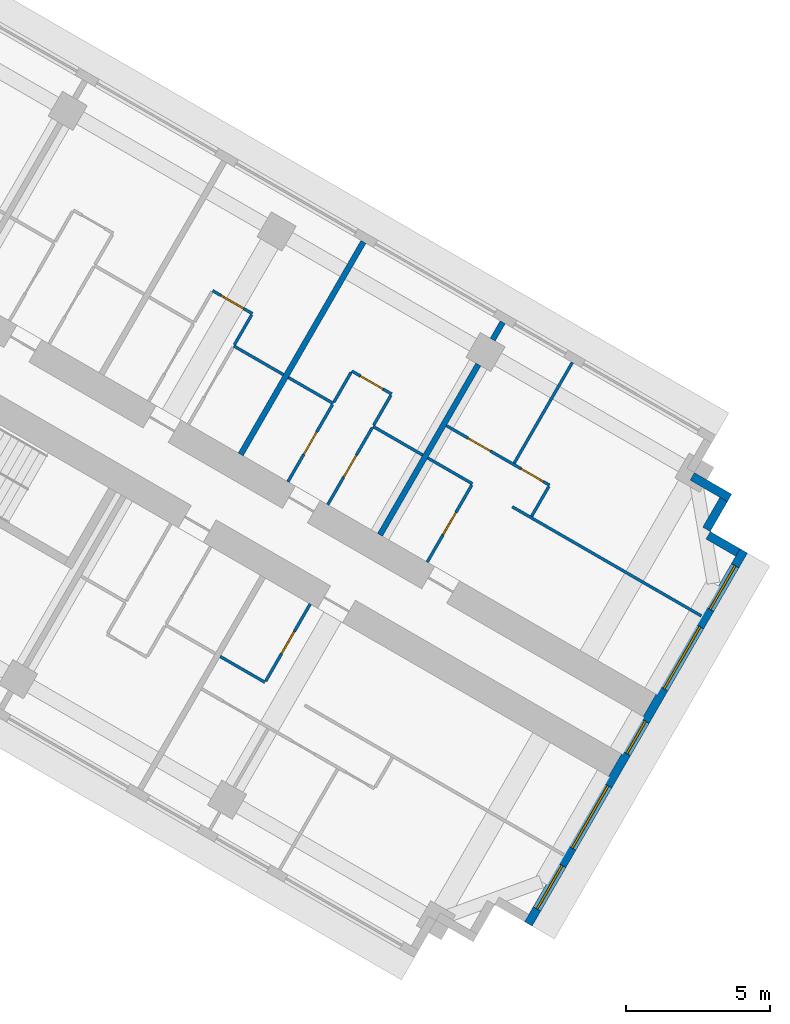
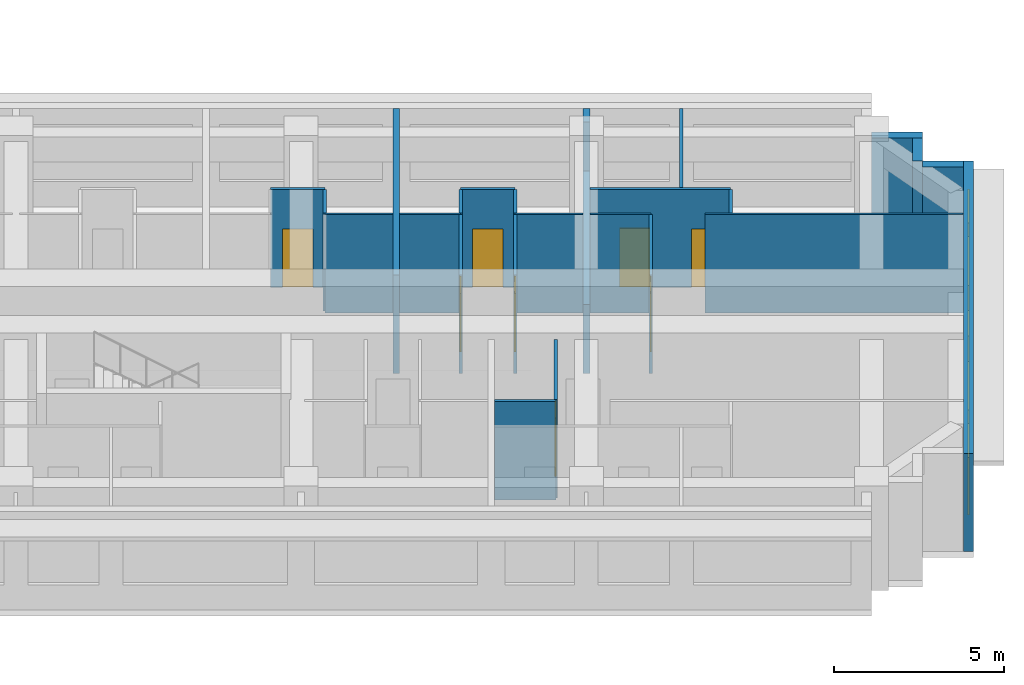
# One storey, part 11 of 14: 25 walls, 8 doors, 5 windows, 13 openings.
"""IFC4 building model written with IfcOpenShell, lengths in metres."""

from ifc_helpers import new_model, si_unit, direction, frame, frame_2d, origin, place, context, subcontext, project, spatial, rectangle, extrude, material, layer, layer_set, type_object, element, fill, save


model = new_model("IFC4")

# Units and contexts
model_context = context("Model", 3, precision=1e-05, world=origin(), true_north=direction((0.0, 1.0)))
body_context = subcontext(model_context, "Body", "Model", "MODEL_VIEW")
ifc_project = project(units=[si_unit("LENGTHUNIT", "METRE"), si_unit("AREAUNIT", "SQUARE_METRE"), si_unit("VOLUMEUNIT", "CUBIC_METRE"), si_unit("PLANEANGLEUNIT", "RADIAN"), si_unit("MASSUNIT", "GRAM", prefix="KILO")], contexts=[model_context])

# Site, building, storey
site_placement = place(None, origin())
site = spatial("IfcSite", under=ifc_project, at=site_placement, CompositionType="ELEMENT")
building_placement = place(site_placement, origin())
building = spatial("IfcBuilding", under=site, at=building_placement, Name="Impinga Residences", CompositionType="ELEMENT")
storey_placement = place(building_placement, frame((0.0, 0.0, 143.5)))
storey = spatial("IfcBuildingStorey", under=building, at=storey_placement, Name="L35", CompositionType="ELEMENT", Elevation=143.5)

# Walls
ifc_material_1 = material(Name="Terracotta rainscreen on blockwork", Category="masonry")
ifc_layer_1 = layer(ifc_material_1, 0.300048828125)
ifc_layer_set_1 = layer_set([ifc_layer_1], Name="EW1 external wall, terracotta rainscreen on blockwork 300")
wall_type_1 = type_object("IfcWallType", Name="EW1 external wall, terracotta rainscreen on blockwork 300", PredefinedType="SOLIDWALL", material=ifc_layer_set_1)
wall_1_placement = place(storey_placement, frame((43.42333984375, -14.8515625, 0.0), z_axis=(0.0, 0.0, 1.0), x_axis=(0.866031096941, -0.499990139034, 0.0)))
element("IfcWall", 1, at=wall_1_placement, inside=storey, type_object=wall_type_1, Name="External wall EW1 L35", PredefinedType="SOLIDWALL", context=body_context, shape_type="SweptSolid", body=[
    extrude(rectangle(XDim=1.5, YDim=0.300048828125, at=frame_2d((0.75, 0.0))), origin(), (0.0, 0.0, 1.0), 3.530029296875),
])
wall_2_placement = place(storey_placement, frame((44.517578125, -15.65625, 0.0), z_axis=(0.0, 0.0, 1.0), x_axis=(-0.500033551112, -0.866006032174, 0.0)))
element("IfcWall", 2, at=wall_2_placement, inside=storey, type_object=wall_type_1, Name="External wall EW1 L35", PredefinedType="SOLIDWALL", context=body_context, shape_type="SweptSolid", body=[
    extrude(rectangle(XDim=1.2001953125, YDim=0.300048828125, at=frame_2d((0.60009765625, 0.0))), origin(), (0.0, 0.0, 1.0), 3.530029296875),
])
wall_3_placement = place(storey_placement, frame((43.976806640625, -16.903076171875, 0.0), z_axis=(0.0, 0.0, 1.0), x_axis=(0.866059708757, -0.499940577336, 0.0)))
element("IfcWall", 3, at=wall_3_placement, inside=storey, type_object=wall_type_1, Name="External wall EW1 L35", PredefinedType="SOLIDWALL", context=body_context, shape_type="SweptSolid", body=[
    extrude(rectangle(XDim=1.195068359375, YDim=0.300048828125, at=frame_2d((0.59765625, 0.0))), origin(), (0.0, 0.0, 1.0), 3.530029296875),
])

# Wall, openings, windows
wall_4_placement = place(storey_placement, frame((45.216552734375, -17.445556640625, 0.0), z_axis=(0.0, 0.0, 1.0), x_axis=(-0.499997186618, -0.866027028085, 0.0)))
wall_4 = element("IfcWall", 4, at=wall_4_placement, inside=storey, type_object=wall_type_1, Name="External wall EW1 L35", PredefinedType="SOLIDWALL", context=body_context, shape_type="SweptSolid", body=[
    extrude(rectangle(XDim=15.0, YDim=0.300048828125, at=frame_2d((7.5, 0.0))), origin(), (0.0, 0.0, 1.0), 3.530029296875),
])
opening_1_placement = place(wall_4_placement, frame((0.60009765625, 0.0, 0.89990234375)))
opening_1 = element("IfcOpeningElement", 5, at=opening_1_placement, cuts=wall_4, Name="Opening W1", PredefinedType="OPENING", context=body_context, shape_type="SweptSolid", body=[
    extrude(rectangle(XDim=1.75, YDim=2.050048828125, at=frame_2d((0.875, 1.02490234375))), frame((0.0, 0.159912109375, 0.0), z_axis=(0.0, -1.0, 0.0), x_axis=(1.0, 0.0, 0.0)), (0.0, 0.0, 1.0), 0.320068359375),
])
opening_2_placement = place(wall_4_placement, frame((3.050048828125, 0.0, 0.89990234375)))
opening_2 = element("IfcOpeningElement", 6, at=opening_2_placement, cuts=wall_4, Name="Opening W2", PredefinedType="OPENING", context=body_context, shape_type="SweptSolid", body=[
    extrude(rectangle(XDim=2.5, YDim=2.050048828125, at=frame_2d((1.25, 1.02490234375))), frame((0.0, 0.159912109375, 0.0), z_axis=(0.0, -1.0, 0.0), x_axis=(1.0, 0.0, 0.0)), (0.0, 0.0, 1.0), 0.320068359375),
])
opening_3_placement = place(wall_4_placement, frame((6.85009765625, 0.0, 0.89990234375)))
opening_3 = element("IfcOpeningElement", 7, at=opening_3_placement, cuts=wall_4, Name="Opening WE1", PredefinedType="OPENING", context=body_context, shape_type="SweptSolid", body=[
    extrude(rectangle(XDim=1.300048828125, YDim=2.050048828125, at=frame_2d((0.64990234375, 1.02490234375))), frame((0.0, 0.159912109375, 0.0), z_axis=(0.0, -1.0, 0.0), x_axis=(1.0, 0.0, 0.0)), (0.0, 0.0, 1.0), 0.320068359375),
])
opening_4_placement = place(wall_4_placement, frame((9.449951171875, 0.0, 0.89990234375)))
opening_4 = element("IfcOpeningElement", 8, at=opening_4_placement, cuts=wall_4, Name="Opening W2", PredefinedType="OPENING", context=body_context, shape_type="SweptSolid", body=[
    extrude(rectangle(XDim=2.5, YDim=2.050048828125, at=frame_2d((1.25, 1.02490234375))), frame((0.0, 0.159912109375, 0.0), z_axis=(0.0, -1.0, 0.0), x_axis=(1.0, 0.0, 0.0)), (0.0, 0.0, 1.0), 0.320068359375),
])
opening_5_placement = place(wall_4_placement, frame((12.64990234375, 0.0, 0.89990234375)))
opening_5 = element("IfcOpeningElement", 9, at=opening_5_placement, cuts=wall_4, Name="Opening W1", PredefinedType="OPENING", context=body_context, shape_type="SweptSolid", body=[
    extrude(rectangle(XDim=1.75, YDim=2.050048828125, at=frame_2d((0.875, 1.02490234375))), frame((0.0, 0.159912109375, 0.0), z_axis=(0.0, -1.0, 0.0), x_axis=(1.0, 0.0, 0.0)), (0.0, 0.0, 1.0), 0.320068359375),
])
ifc_material_2 = material(Name="Aluminium window, clear double glazing", Category="aluminium")
window_type_1 = type_object("IfcWindowType", Name="W1 ribbon window 1750x2050", PartitioningType="SINGLE_PANEL", PredefinedType="WINDOW", material=ifc_material_2)
window_1_placement = place(opening_1_placement, origin())
window_1 = element("IfcWindow", 10, at=window_1_placement, inside=storey, type_object=window_type_1, Name="Window L35", OverallHeight=2.050048828125, OverallWidth=1.75, PartitioningType="SINGLE_PANEL", PredefinedType="WINDOW", context=body_context, shape_type="SweptSolid", body=[
    extrude(rectangle(XDim=1.75, YDim=2.050048828125, at=frame_2d((0.875, 1.02490234375))), frame((0.0, 0.030029296875, 0.0), z_axis=(0.0, -1.0, 0.0), x_axis=(1.0, 0.0, 0.0)), (0.0, 0.0, 1.0), 0.06005859375),
])
fill(opening_1, window_1)
window_2_placement = place(opening_5_placement, origin())
window_2 = element("IfcWindow", 11, at=window_2_placement, inside=storey, type_object=window_type_1, Name="Window L35", OverallHeight=2.050048828125, OverallWidth=1.75, PartitioningType="SINGLE_PANEL", PredefinedType="WINDOW", context=body_context, shape_type="SweptSolid", body=[
    extrude(rectangle(XDim=1.75, YDim=2.050048828125, at=frame_2d((0.875, 1.02490234375))), frame((0.0, 0.030029296875, 0.0), z_axis=(0.0, -1.0, 0.0), x_axis=(1.0, 0.0, 0.0)), (0.0, 0.0, 1.0), 0.06005859375),
])
fill(opening_5, window_2)
window_type_2 = type_object("IfcWindowType", Name="W2 ribbon window 2500x2050", PartitioningType="SINGLE_PANEL", PredefinedType="WINDOW", material=ifc_material_2)
window_3_placement = place(opening_2_placement, origin())
window_3 = element("IfcWindow", 12, at=window_3_placement, inside=storey, type_object=window_type_2, Name="Window L35", OverallHeight=2.050048828125, OverallWidth=2.5, PartitioningType="SINGLE_PANEL", PredefinedType="WINDOW", context=body_context, shape_type="SweptSolid", body=[
    extrude(rectangle(XDim=2.5, YDim=2.050048828125, at=frame_2d((1.25, 1.02490234375))), frame((0.0, 0.030029296875, 0.0), z_axis=(0.0, -1.0, 0.0), x_axis=(1.0, 0.0, 0.0)), (0.0, 0.0, 1.0), 0.06005859375),
])
fill(opening_2, window_3)
window_4_placement = place(opening_4_placement, origin())
window_4 = element("IfcWindow", 13, at=window_4_placement, inside=storey, type_object=window_type_2, Name="Window L35", OverallHeight=2.050048828125, OverallWidth=2.5, PartitioningType="SINGLE_PANEL", PredefinedType="WINDOW", context=body_context, shape_type="SweptSolid", body=[
    extrude(rectangle(XDim=2.5, YDim=2.050048828125, at=frame_2d((1.25, 1.02490234375))), frame((0.0, 0.030029296875, 0.0), z_axis=(0.0, -1.0, 0.0), x_axis=(1.0, 0.0, 0.0)), (0.0, 0.0, 1.0), 0.06005859375),
])
fill(opening_4, window_4)
window_type_3 = type_object("IfcWindowType", Name="WE1 corridor window 1300x2050", PartitioningType="SINGLE_PANEL", PredefinedType="WINDOW", material=ifc_material_2)
window_5_placement = place(opening_3_placement, origin())
window_5 = element("IfcWindow", 14, at=window_5_placement, inside=storey, type_object=window_type_3, Name="Window L35", OverallHeight=2.050048828125, OverallWidth=1.300048828125, PartitioningType="SINGLE_PANEL", PredefinedType="WINDOW", context=body_context, shape_type="SweptSolid", body=[
    extrude(rectangle(XDim=1.300048828125, YDim=2.050048828125, at=frame_2d((0.64990234375, 1.02490234375))), frame((0.0, 0.030029296875, 0.0), z_axis=(0.0, -1.0, 0.0), x_axis=(1.0, 0.0, 0.0)), (0.0, 0.0, 1.0), 0.06005859375),
])
fill(opening_3, window_5)

# Wall
ifc_material_3 = material(Name="Gypsum board on steel studs", Category="steel")
ifc_layer_2 = layer(ifc_material_3, 0.10009765625)
ifc_layer_set_2 = layer_set([ifc_layer_2], Name="Gypsum board on steel studs")
wall_type_2 = type_object("IfcWallType", Name="IP1 partition 100", PredefinedType="PARTITIONING", material=ifc_layer_set_2)
wall_5_placement = place(storey_placement, frame((27.45556640625, -10.308837890625, 0.0), z_axis=(0.0, 0.0, 1.0), x_axis=(0.866010750942, -0.50002537861, 0.0)))
element("IfcWall", 15, at=wall_5_placement, inside=storey, type_object=wall_type_2, Name="Partition L35-EA3:DIV1", PredefinedType="PARTITIONING", context=body_context, shape_type="SweptSolid", body=[
    extrude(rectangle(XDim=2.0, YDim=0.10009765625, at=frame_2d((1.0, 0.0))), origin(), (0.0, 0.0, 1.0), 3.530029296875),
])

# Wall, opening, door
wall_6_placement = place(storey_placement, frame((26.7197265625, -8.383056640625, 0.0), z_axis=(0.0, 0.0, 1.0), x_axis=(0.866028054938, -0.499995408039, 0.0)))
wall_6 = element("IfcWall", 16, at=wall_6_placement, inside=storey, type_object=wall_type_2, Name="Partition L35-EA3:STRIP", PredefinedType="PARTITIONING", context=body_context, shape_type="SweptSolid", body=[
    extrude(rectangle(XDim=1.60009765625, YDim=0.10009765625, at=frame_2d((0.800048828125, 0.0))), origin(), (0.0, 0.0, 1.0), 3.530029296875),
])
opening_6_placement = place(wall_6_placement, frame((0.35009765625, 0.0, 0.0)))
opening_6 = element("IfcOpeningElement", 17, at=opening_6_placement, cuts=wall_6, Name="Opening D2", PredefinedType="OPENING", context=body_context, shape_type="SweptSolid", body=[
    extrude(rectangle(XDim=0.89990234375, YDim=2.10009765625, at=frame_2d((0.449951171875, 1.050048828125))), frame((0.0, 0.06005859375, 0.0), z_axis=(0.0, -1.0, 0.0), x_axis=(1.0, 0.0, 0.0)), (0.0, 0.0, 1.0), 0.1201171875),
])
ifc_material_4 = material(Name="Timber door set", Category="wood")
door_type = type_object("IfcDoorType", Name="D2 internal door 900x2100", OperationType="SINGLE_SWING_LEFT", PredefinedType="DOOR", material=ifc_material_4)
door_1_placement = place(opening_6_placement, origin())
door_1 = element("IfcDoor", 18, at=door_1_placement, inside=storey, type_object=door_type, Name="Apartment L35-EA3 room door", OperationType="SINGLE_SWING_LEFT", OverallHeight=2.10009765625, OverallWidth=0.89990234375, PredefinedType="DOOR", context=body_context, shape_type="SweptSolid", body=[
    extrude(rectangle(XDim=0.89990234375, YDim=2.10009765625, at=frame_2d((0.449951171875, 1.050048828125))), frame((0.0, 0.02490234375, 0.0), z_axis=(0.0, -1.0, 0.0), x_axis=(1.0, 0.0, 0.0)), (0.0, 0.0, 1.0), 0.050048828125),
])
fill(opening_6, door_1)

# Walls
wall_7_placement = place(storey_placement, frame((27.48046875, -10.265625, 0.0), z_axis=(0.0, 0.0, 1.0), x_axis=(0.500033551112, 0.866006032174, 0.0)))
element("IfcWall", 19, at=wall_7_placement, inside=storey, type_object=wall_type_2, Name="Partition L35-EA3:SE1", PredefinedType="PARTITIONING", context=body_context, shape_type="SweptSolid", body=[
    extrude(rectangle(XDim=1.2001953125, YDim=0.10009765625, at=frame_2d((0.60009765625, 0.0))), origin(), (0.0, 0.0, 1.0), 3.530029296875),
])
wall_8_placement = place(storey_placement, frame((29.360595703125, -11.408935546875, 0.0), z_axis=(0.0, 0.0, 1.0), x_axis=(0.866047807691, -0.499961193289, 0.0)))
element("IfcWall", 20, at=wall_8_placement, inside=storey, type_object=wall_type_2, Name="Partition L35-EA4:DIV0", PredefinedType="PARTITIONING", context=body_context, shape_type="SweptSolid", body=[
    extrude(rectangle(XDim=1.800048828125, YDim=0.10009765625, at=frame_2d((0.89990234375, 0.0))), origin(), (0.0, 0.0, 1.0), 3.530029296875),
])
wall_9_placement = place(storey_placement, frame((32.30517578125, -13.10888671875, 0.0), z_axis=(0.0, 0.0, 1.0), x_axis=(0.866041268327, -0.499972520799, 0.0)))
element("IfcWall", 21, at=wall_9_placement, inside=storey, type_object=wall_type_2, Name="Partition L35-EA4:DIV1", PredefinedType="PARTITIONING", context=body_context, shape_type="SweptSolid", body=[
    extrude(rectangle(XDim=2.0, YDim=0.10009765625, at=frame_2d((1.0, 0.0))), origin(), (0.0, 0.0, 1.0), 3.530029296875),
])

# Wall, opening, door
wall_10_placement = place(storey_placement, frame((31.569580078125, -11.18310546875, 0.0), z_axis=(0.0, 0.0, 1.0), x_axis=(0.866055983265, -0.499947031044, 0.0)))
wall_10 = element("IfcWall", 22, at=wall_10_placement, inside=storey, type_object=wall_type_2, Name="Partition L35-EA4:STRIP", PredefinedType="PARTITIONING", context=body_context, shape_type="SweptSolid", body=[
    extrude(rectangle(XDim=1.599853515625, YDim=0.10009765625, at=frame_2d((0.7998046875, 0.0))), origin(), (0.0, 0.0, 1.0), 3.530029296875),
])
opening_7_placement = place(wall_10_placement, frame((0.35009765625, 0.0, 0.0)))
opening_7 = element("IfcOpeningElement", 23, at=opening_7_placement, cuts=wall_10, Name="Opening D2", PredefinedType="OPENING", context=body_context, shape_type="SweptSolid", body=[
    extrude(rectangle(XDim=0.89990234375, YDim=2.10009765625, at=frame_2d((0.449951171875, 1.050048828125))), frame((0.0, 0.06005859375, 0.0), z_axis=(0.0, -1.0, 0.0), x_axis=(1.0, 0.0, 0.0)), (0.0, 0.0, 1.0), 0.1201171875),
])
door_2_placement = place(opening_7_placement, origin())
door_2 = element("IfcDoor", 24, at=door_2_placement, inside=storey, type_object=door_type, Name="Apartment L35-EA4 room door", OperationType="SINGLE_SWING_LEFT", OverallHeight=2.10009765625, OverallWidth=0.89990234375, PredefinedType="DOOR", context=body_context, shape_type="SweptSolid", body=[
    extrude(rectangle(XDim=0.89990234375, YDim=2.10009765625, at=frame_2d((0.449951171875, 1.050048828125))), frame((0.0, 0.02490234375, 0.0), z_axis=(0.0, -1.0, 0.0), x_axis=(1.0, 0.0, 0.0)), (0.0, 0.0, 1.0), 0.050048828125),
])
fill(opening_7, door_2)

# Walls
for number, where, z_axis, x_axis, name in (
    (25, (30.944580078125, -12.265625, 0.0), (0.0, 0.0, 1.0), (0.499880961361, 0.866094119867, 0.0), "Partition L35-EA4:SE0"),
    (26, (32.330078125, -13.0654296875, 0.0), (0.0, 0.0, 1.0), (0.50012165622, 0.865955154139, 0.0), "Partition L35-EA4:SE1"),
):
    element("IfcWall", number, at=place(storey_placement, frame(where, z_axis=z_axis, x_axis=x_axis)), inside=storey, type_object=wall_type_2, Name=name, PredefinedType="PARTITIONING", context=body_context, shape_type="SweptSolid", body=[
        extrude(rectangle(XDim=1.199951171875, YDim=0.10009765625, at=frame_2d((0.60009765625, 0.0))), origin(), (0.0, 0.0, 1.0), 3.530029296875),
    ])

# Wall, opening, door
wall_11_placement = place(storey_placement, frame((29.344482421875, -15.036865234375, 0.0), z_axis=(0.0, 0.0, 1.0), x_axis=(0.49999285859, 0.86602952684, 0.0)))
wall_11 = element("IfcWall", 27, at=wall_11_placement, inside=storey, type_object=wall_type_2, Name="Partition L35-EA4:IB1", PredefinedType="PARTITIONING", context=body_context, shape_type="SweptSolid", body=[
    extrude(rectangle(XDim=3.10009765625, YDim=0.10009765625, at=frame_2d((1.550048828125, 0.0))), origin(), (0.0, 0.0, 1.0), 3.530029296875),
])
opening_8_placement = place(wall_11_placement, frame((1.10009765625, 0.0, 0.0)))
opening_8 = element("IfcOpeningElement", 28, at=opening_8_placement, cuts=wall_11, Name="Opening D2", PredefinedType="OPENING", context=body_context, shape_type="SweptSolid", body=[
    extrude(rectangle(XDim=0.89990234375, YDim=2.10009765625, at=frame_2d((0.449951171875, 1.050048828125))), frame((0.0, 0.06005859375, 0.0), z_axis=(0.0, -1.0, 0.0), x_axis=(1.0, 0.0, 0.0)), (0.0, 0.0, 1.0), 0.1201171875),
])
door_3_placement = place(opening_8_placement, origin())
door_3 = element("IfcDoor", 29, at=door_3_placement, inside=storey, type_object=door_type, Name="Apartment L35-EA4 bathroom door", OperationType="SINGLE_SWING_LEFT", OverallHeight=2.10009765625, OverallWidth=0.89990234375, PredefinedType="DOOR", context=body_context, shape_type="SweptSolid", body=[
    extrude(rectangle(XDim=0.89990234375, YDim=2.10009765625, at=frame_2d((0.449951171875, 1.050048828125))), frame((0.0, 0.02490234375, 0.0), z_axis=(0.0, -1.0, 0.0), x_axis=(1.0, 0.0, 0.0)), (0.0, 0.0, 1.0), 0.050048828125),
])
fill(opening_8, door_3)

wall_12_placement = place(storey_placement, frame((30.730224609375, -15.8369140625, 0.0), z_axis=(0.0, 0.0, 1.0), x_axis=(0.49999285859, 0.86602952684, 0.0)))
wall_12 = element("IfcWall", 30, at=wall_12_placement, inside=storey, type_object=wall_type_2, Name="Partition L35-EA4:IB2", PredefinedType="PARTITIONING", context=body_context, shape_type="SweptSolid", body=[
    extrude(rectangle(XDim=3.10009765625, YDim=0.10009765625, at=frame_2d((1.550048828125, 0.0))), origin(), (0.0, 0.0, 1.0), 3.530029296875),
])
opening_9_placement = place(wall_12_placement, frame((1.10009765625, 0.0, 0.0)))
opening_9 = element("IfcOpeningElement", 31, at=opening_9_placement, cuts=wall_12, Name="Opening D2", PredefinedType="OPENING", context=body_context, shape_type="SweptSolid", body=[
    extrude(rectangle(XDim=0.89990234375, YDim=2.10009765625, at=frame_2d((0.449951171875, 1.050048828125))), frame((0.0, 0.06005859375, 0.0), z_axis=(0.0, -1.0, 0.0), x_axis=(1.0, 0.0, 0.0)), (0.0, 0.0, 1.0), 0.1201171875),
])
door_4_placement = place(opening_9_placement, origin())
door_4 = element("IfcDoor", 32, at=door_4_placement, inside=storey, type_object=door_type, Name="Apartment L35-EA4 WC door", OperationType="SINGLE_SWING_LEFT", OverallHeight=2.10009765625, OverallWidth=0.89990234375, PredefinedType="DOOR", context=body_context, shape_type="SweptSolid", body=[
    extrude(rectangle(XDim=0.89990234375, YDim=2.10009765625, at=frame_2d((0.449951171875, 1.050048828125))), frame((0.0, 0.02490234375, 0.0), z_axis=(0.0, -1.0, 0.0), x_axis=(1.0, 0.0, 0.0)), (0.0, 0.0, 1.0), 0.050048828125),
])
fill(opening_9, door_4)

# Walls
wall_13_placement = place(storey_placement, frame((34.21044921875, -14.208740234375, 0.0), z_axis=(0.0, 0.0, 1.0), x_axis=(0.865989075817, -0.500062916607, 0.0)))
element("IfcWall", 33, at=wall_13_placement, inside=storey, type_object=wall_type_2, Name="Partition L35-EA5:DIV0", PredefinedType="PARTITIONING", context=body_context, shape_type="SweptSolid", body=[
    extrude(rectangle(XDim=1.800048828125, YDim=0.10009765625, at=frame_2d((0.89990234375, 0.0))), origin(), (0.0, 0.0, 1.0), 3.530029296875),
])
wall_14_placement = place(storey_placement, frame((37.155029296875, -15.908935546875, 0.0), z_axis=(0.0, 0.0, 1.0), x_axis=(0.866036335692, -0.499981064903, 0.0)))
element("IfcWall", 34, at=wall_14_placement, inside=storey, type_object=wall_type_2, Name="Partition L35-EA5:DIV1", PredefinedType="PARTITIONING", context=body_context, shape_type="SweptSolid", body=[
    extrude(rectangle(XDim=7.599853515625, YDim=0.10009765625, at=frame_2d((3.7998046875, 0.0))), origin(), (0.0, 0.0, 1.0), 3.530029296875),
])

# Wall, openings, doors
wall_15_placement = place(storey_placement, frame((34.8603515625, -13.0830078125, 0.0), z_axis=(0.0, 0.0, 1.0), x_axis=(0.86602981871, -0.499992353047, 0.0)))
wall_15 = element("IfcWall", 35, at=wall_15_placement, inside=storey, type_object=wall_type_2, Name="Partition L35-EA5:STRIP", PredefinedType="PARTITIONING", context=body_context, shape_type="SweptSolid", body=[
    extrude(rectangle(XDim=4.14990234375, YDim=0.10009765625, at=frame_2d((2.074951171875, 0.0))), origin(), (0.0, 0.0, 1.0), 3.530029296875),
])
opening_10_placement = place(wall_15_placement, frame((0.875, 0.0, 0.0)))
opening_10 = element("IfcOpeningElement", 36, at=opening_10_placement, cuts=wall_15, Name="Opening D2", PredefinedType="OPENING", context=body_context, shape_type="SweptSolid", body=[
    extrude(rectangle(XDim=0.89990234375, YDim=2.10009765625, at=frame_2d((0.449951171875, 1.050048828125))), frame((0.0, 0.06005859375, 0.0), z_axis=(0.0, -1.0, 0.0), x_axis=(1.0, 0.0, 0.0)), (0.0, 0.0, 1.0), 0.1201171875),
])
opening_11_placement = place(wall_15_placement, frame((3.0, 0.0, 0.0)))
opening_11 = element("IfcOpeningElement", 37, at=opening_11_placement, cuts=wall_15, Name="Opening D2", PredefinedType="OPENING", context=body_context, shape_type="SweptSolid", body=[
    extrude(rectangle(XDim=0.89990234375, YDim=2.10009765625, at=frame_2d((0.449951171875, 1.050048828125))), frame((0.0, 0.06005859375, 0.0), z_axis=(0.0, -1.0, 0.0), x_axis=(1.0, 0.0, 0.0)), (0.0, 0.0, 1.0), 0.1201171875),
])
door_5_placement = place(opening_10_placement, origin())
door_5 = element("IfcDoor", 38, at=door_5_placement, inside=storey, type_object=door_type, Name="Apartment L35-EA5 room door", OperationType="SINGLE_SWING_LEFT", OverallHeight=2.10009765625, OverallWidth=0.89990234375, PredefinedType="DOOR", context=body_context, shape_type="SweptSolid", body=[
    extrude(rectangle(XDim=0.89990234375, YDim=2.10009765625, at=frame_2d((0.449951171875, 1.050048828125))), frame((0.0, 0.02490234375, 0.0), z_axis=(0.0, -1.0, 0.0), x_axis=(1.0, 0.0, 0.0)), (0.0, 0.0, 1.0), 0.050048828125),
])
fill(opening_10, door_5)
door_6_placement = place(opening_11_placement, origin())
door_6 = element("IfcDoor", 39, at=door_6_placement, inside=storey, type_object=door_type, Name="Apartment L35-EA5 room door", OperationType="SINGLE_SWING_RIGHT", OverallHeight=2.10009765625, OverallWidth=0.89990234375, PredefinedType="DOOR", context=body_context, shape_type="SweptSolid", body=[
    extrude(rectangle(XDim=0.89990234375, YDim=2.10009765625, at=frame_2d((0.449951171875, 1.050048828125))), frame((0.0, 0.02490234375, 0.0), z_axis=(0.0, -1.0, 0.0), x_axis=(1.0, 0.0, 0.0)), (0.0, 0.0, 1.0), 0.050048828125),
])
fill(opening_11, door_6)

# Wall
wall_16_placement = place(storey_placement, frame((37.829345703125, -16.240478515625, 0.0), z_axis=(0.0, 0.0, 1.0), x_axis=(0.50012165622, 0.865955154139, 0.0)))
element("IfcWall", 40, at=wall_16_placement, inside=storey, type_object=wall_type_2, Name="Partition L35-EA5:SE1", PredefinedType="PARTITIONING", context=body_context, shape_type="SweptSolid", body=[
    extrude(rectangle(XDim=1.199951171875, YDim=0.10009765625, at=frame_2d((0.60009765625, 0.0))), origin(), (0.0, 0.0, 1.0), 3.530029296875),
])

# Wall, opening, door
wall_17_placement = place(storey_placement, frame((34.1943359375, -17.8369140625, 0.0), z_axis=(0.0, 0.0, 1.0), x_axis=(0.49999285859, 0.86602952684, 0.0)))
wall_17 = element("IfcWall", 41, at=wall_17_placement, inside=storey, type_object=wall_type_2, Name="Partition L35-EA5:IB1", PredefinedType="PARTITIONING", context=body_context, shape_type="SweptSolid", body=[
    extrude(rectangle(XDim=3.10009765625, YDim=0.10009765625, at=frame_2d((1.550048828125, 0.0))), origin(), (0.0, 0.0, 1.0), 3.530029296875),
])
opening_12_placement = place(wall_17_placement, frame((1.10009765625, 0.0, 0.0)))
opening_12 = element("IfcOpeningElement", 42, at=opening_12_placement, cuts=wall_17, Name="Opening D2", PredefinedType="OPENING", context=body_context, shape_type="SweptSolid", body=[
    extrude(rectangle(XDim=0.89990234375, YDim=2.10009765625, at=frame_2d((0.449951171875, 1.050048828125))), frame((0.0, 0.06005859375, 0.0), z_axis=(0.0, -1.0, 0.0), x_axis=(1.0, 0.0, 0.0)), (0.0, 0.0, 1.0), 0.1201171875),
])
door_7_placement = place(opening_12_placement, origin())
door_7 = element("IfcDoor", 43, at=door_7_placement, inside=storey, type_object=door_type, Name="Apartment L35-EA5 bathroom door", OperationType="SINGLE_SWING_LEFT", OverallHeight=2.10009765625, OverallWidth=0.89990234375, PredefinedType="DOOR", context=body_context, shape_type="SweptSolid", body=[
    extrude(rectangle(XDim=0.89990234375, YDim=2.10009765625, at=frame_2d((0.449951171875, 1.050048828125))), frame((0.0, 0.02490234375, 0.0), z_axis=(0.0, -1.0, 0.0), x_axis=(1.0, 0.0, 0.0)), (0.0, 0.0, 1.0), 0.050048828125),
])
fill(opening_12, door_7)

# Walls
wall_18_placement = place(storey_placement, frame((37.2236328125, -14.3896484375, 0.0), z_axis=(0.0, 0.0, 1.0), x_axis=(0.500035537042, 0.866004885491, 0.0)))
element("IfcWall", 44, at=wall_18_placement, inside=storey, type_object=wall_type_2, Name="Partition L35-EA5:OB1", PredefinedType="PARTITIONING", context=body_context, shape_type="SweptSolid", body=[
    extrude(rectangle(XDim=4.050048828125, YDim=0.10009765625, at=frame_2d((2.02490234375, 0.0))), origin(), (0.0, 0.0, 1.0), 3.530029296875),
])
wall_19_placement = place(storey_placement, frame((26.985595703125, -21.122802734375, 0.0), z_axis=(0.0, 0.0, 1.0), x_axis=(0.866047807691, -0.499961193289, 0.0)))
element("IfcWall", 45, at=wall_19_placement, inside=storey, type_object=wall_type_2, Name="Partition L35-EF3:DIV0", PredefinedType="PARTITIONING", context=body_context, shape_type="SweptSolid", body=[
    extrude(rectangle(XDim=1.800048828125, YDim=0.10009765625, at=frame_2d((0.89990234375, 0.0))), origin(), (0.0, 0.0, 1.0), 3.530029296875),
])

# Wall, opening, door
wall_20_placement = place(storey_placement, frame((30.119384765625, -19.294677734375, 0.0), z_axis=(0.0, 0.0, 1.0), x_axis=(-0.49999285859, -0.86602952684, 0.0)))
wall_20 = element("IfcWall", 46, at=wall_20_placement, inside=storey, type_object=wall_type_2, Name="Partition L35-EF3:IB1", PredefinedType="PARTITIONING", context=body_context, shape_type="SweptSolid", body=[
    extrude(rectangle(XDim=3.10009765625, YDim=0.10009765625, at=frame_2d((1.550048828125, 0.0))), origin(), (0.0, 0.0, 1.0), 3.530029296875),
])
opening_13_placement = place(wall_20_placement, frame((1.10009765625, 0.0, 0.0)))
opening_13 = element("IfcOpeningElement", 47, at=opening_13_placement, cuts=wall_20, Name="Opening D2", PredefinedType="OPENING", context=body_context, shape_type="SweptSolid", body=[
    extrude(rectangle(XDim=0.89990234375, YDim=2.10009765625, at=frame_2d((0.449951171875, 1.050048828125))), frame((0.0, 0.06005859375, 0.0), z_axis=(0.0, -1.0, 0.0), x_axis=(1.0, 0.0, 0.0)), (0.0, 0.0, 1.0), 0.1201171875),
])
door_8_placement = place(opening_13_placement, origin())
door_8 = element("IfcDoor", 48, at=door_8_placement, inside=storey, type_object=door_type, Name="Apartment L35-EF3 bathroom door", OperationType="SINGLE_SWING_LEFT", OverallHeight=2.10009765625, OverallWidth=0.89990234375, PredefinedType="DOOR", context=body_context, shape_type="SweptSolid", body=[
    extrude(rectangle(XDim=0.89990234375, YDim=2.10009765625, at=frame_2d((0.449951171875, 1.050048828125))), frame((0.0, 0.02490234375, 0.0), z_axis=(0.0, -1.0, 0.0), x_axis=(1.0, 0.0, 0.0)), (0.0, 0.0, 1.0), 0.050048828125),
])
fill(opening_13, door_8)

# Walls
ifc_material_5 = material(Name="Concrete blockwork", Category="masonry")
ifc_layer_3 = layer(ifc_material_5, 0.199951171875)
ifc_layer_set_3 = layer_set([ifc_layer_3], Name="PW1 party wall between apartments 200")
wall_type_3 = type_object("IfcWallType", Name="PW1 party wall between apartments 200", PredefinedType="SOLIDWALL", material=ifc_layer_set_3)
wall_21_placement = place(storey_placement, frame((27.69921875, -14.0869140625, 0.0), z_axis=(0.0, 0.0, 1.0), x_axis=(0.499990227581, 0.86603104582, 0.0)))
element("IfcWall", 49, at=wall_21_placement, inside=storey, type_object=wall_type_3, Name="Party wall between apartments L35-EA3:PARTY", PredefinedType="SOLIDWALL", context=body_context, shape_type="SweptSolid", body=[
    extrude(rectangle(XDim=8.550048828125, YDim=0.199951171875, at=frame_2d((4.27490234375, 0.0))), origin(), (0.0, 0.0, 1.0), 3.530029296875),
])
wall_22_placement = place(storey_placement, frame((32.548828125, -16.88671875, 0.0), z_axis=(0.0, 0.0, 1.0), x_axis=(0.500014519185, 0.866017020967, 0.0)))
element("IfcWall", 50, at=wall_22_placement, inside=storey, type_object=wall_type_3, Name="Party wall between apartments L35-EA4:PARTY", PredefinedType="SOLIDWALL", context=body_context, shape_type="SweptSolid", body=[
    extrude(rectangle(XDim=6.849853515625, YDim=0.199951171875, at=frame_2d((3.4248046875, 0.0))), origin(), (0.0, 0.0, 1.0), 2.47998046875),
])
wall_23_placement = place(storey_placement, frame((36.473876953125, -10.088623046875, 0.0), z_axis=(0.0, 0.0, 1.0), x_axis=(0.499853302173, 0.866110083249, 0.0)))
element("IfcWall", 51, at=wall_23_placement, inside=storey, type_object=wall_type_3, Name="Party wall between apartments L35-EA4:PARTYb", PredefinedType="SOLIDWALL", context=body_context, shape_type="SweptSolid", body=[
    extrude(rectangle(XDim=0.699951171875, YDim=0.199951171875, at=frame_2d((0.35009765625, 0.0))), origin(), (0.0, 0.0, 1.0), 3.530029296875),
])

save(model, "model.ifc")
